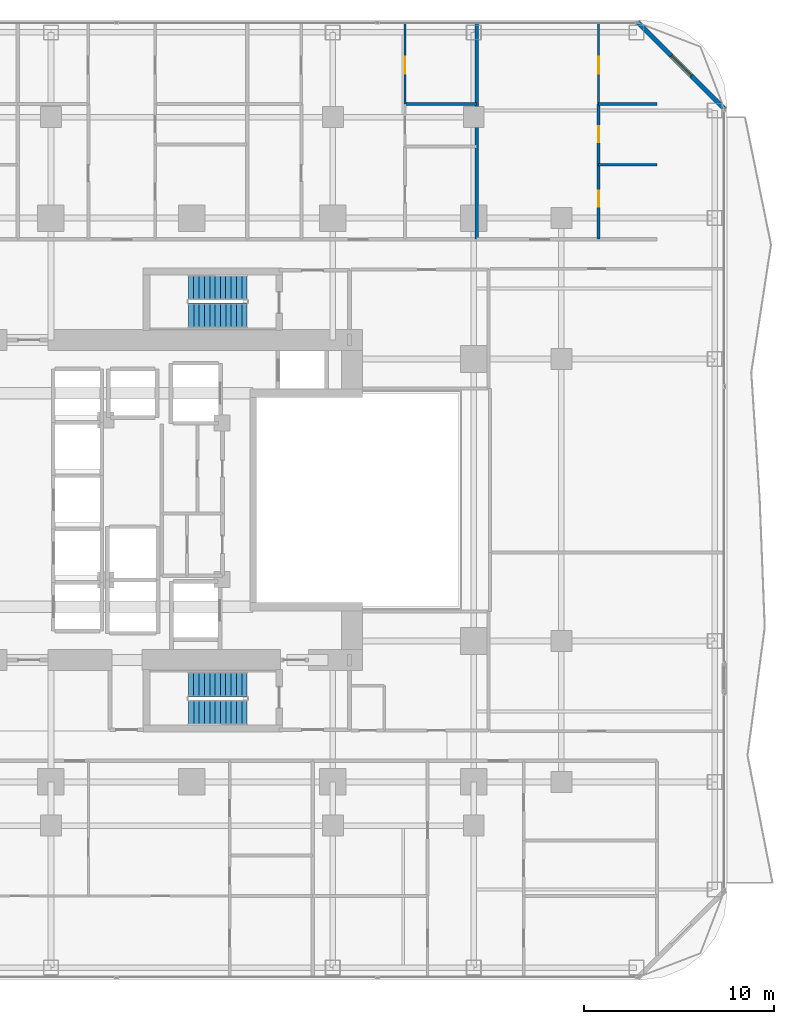
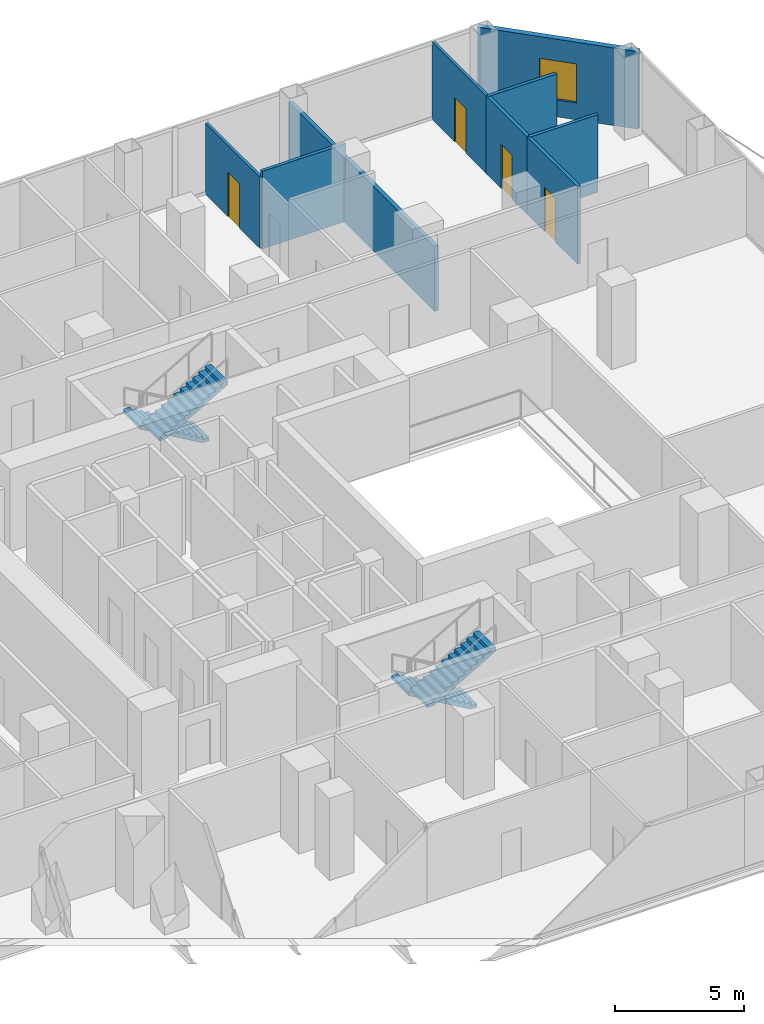
# One storey, part 24 of 27: 9 walls, 4 doors, 4 stair flights, 1 window, 5 openings, 2 elements without a shape of their own.
"""IFC4 building model written with IfcOpenShell, lengths in metres."""

from ifc_helpers import new_model, si_unit, direction, frame, frame_2d, origin, place, context, subcontext, project, spatial, polyline, rectangle, outline, extrude, material, layer, layer_set, type_object, element, fill, aggregate, save


model = new_model("IFC4")

# Units and contexts
model_context = context("Model", 3, precision=1e-05, world=origin(), true_north=direction((0.0, 1.0)))
body_context = subcontext(model_context, "Body", "Model", "MODEL_VIEW")
ifc_project = project(units=[si_unit("LENGTHUNIT", "METRE"), si_unit("AREAUNIT", "SQUARE_METRE"), si_unit("VOLUMEUNIT", "CUBIC_METRE"), si_unit("PLANEANGLEUNIT", "RADIAN"), si_unit("MASSUNIT", "GRAM", prefix="KILO")], contexts=[model_context])

# Site, building, storey
site_placement = place(None, origin())
site = spatial("IfcSite", under=ifc_project, at=site_placement, CompositionType="ELEMENT")
building_placement = place(site_placement, origin())
building = spatial("IfcBuilding", under=site, at=building_placement, Name="Khorvyn Point Tower", CompositionType="ELEMENT")
storey_placement = place(building_placement, frame((0.0, 0.0, 46.199951171875)))
storey = spatial("IfcBuildingStorey", under=building, at=storey_placement, Name="L12", CompositionType="ELEMENT", Elevation=46.199951171875)

# Wall
ifc_material_1 = material(Name="Double acoustic gypsum on twin steel stud", Category="steel")
ifc_layer_1 = layer(ifc_material_1, 0.179931640625)
ifc_layer_set_1 = layer_set([ifc_layer_1], Name="Acoustic Double-Stud Apartment Demising Wall 180")
wall_type_1 = type_object("IfcWallType", Name="Acoustic Double-Stud Apartment Demising Wall 180", PredefinedType="PARTITIONING", material=ifc_layer_set_1)
wall_1_placement = place(storey_placement, frame((14.950927734375, 13.699951171875, 0.0), z_axis=(0.0, 0.0, 1.0), x_axis=(0.0, 1.0, 0.0)))
element("IfcWall", 1, at=wall_1_placement, inside=storey, type_object=wall_type_1, Name="Wall", PredefinedType="PARTITIONING", context=body_context, shape_type="SweptSolid", body=[
    extrude(rectangle(XDim=11.330078125, YDim=0.179931640625, at=frame_2d((5.6650390625, 0.0))), origin(), (0.0, 0.0, 1.0), 3.08203125),
])

# Wall, opening, window
ifc_material_2 = material(Name="Pale anodised aluminium rainscreen on steel stud", Category="steel")
ifc_layer_2 = layer(ifc_material_2, 0.239990234375)
ifc_layer_set_2 = layer_set([ifc_layer_2], Name="Anodised Aluminium Insulated Corner Spandrel Wall 240")
wall_type_2 = type_object("IfcWallType", Name="Anodised Aluminium Insulated Corner Spandrel Wall 240", PredefinedType="SOLIDWALL", material=ifc_layer_set_2)
wall_2_placement = place(storey_placement, frame((23.40771484375, 25.09228515625, 0.0), z_axis=(0.0, 0.0, 1.0), x_axis=(0.707106781187, -0.707106781187, 0.0)))
wall_2 = element("IfcWall", 2, at=wall_2_placement, inside=storey, type_object=wall_type_2, Name="L12 Rounded Corner Wall NE", PredefinedType="SOLIDWALL", context=body_context, shape_type="SweptSolid", body=[
    extrude(rectangle(XDim=6.48388671875, YDim=0.239990234375, at=frame_2d((3.241943359375, 0.0))), origin(), (0.0, 0.0, 1.0), 3.679931640625),
])
opening_1_placement = place(wall_2_placement, frame((2.491943359375, 0.0, 0.800048828125)))
opening_1 = element("IfcOpeningElement", 3, at=opening_1_placement, cuts=wall_2, Name="Opening WN-1518", PredefinedType="OPENING", context=body_context, shape_type="SweptSolid", body=[
    extrude(rectangle(XDim=1.5, YDim=1.85009765625, at=frame_2d((0.75, 0.925048828125))), frame((0.0, 0.1298828125, 0.0), z_axis=(0.0, -1.0, 0.0), x_axis=(1.0, 0.0, 0.0)), (0.0, 0.0, 1.0), 0.260009765625),
])
ifc_material_3 = material(Name="Anodised aluminium 6063-T6 and laminated Low-E glass", Category="aluminium")
window_type = type_object("IfcWindowType", Name="Anodised Aluminium Rounded-Corner Panoramic Window 1500x1850", PartitioningType="SINGLE_PANEL", PredefinedType="WINDOW", material=ifc_material_3)
window_placement = place(opening_1_placement, origin())
window = element("IfcWindow", 4, at=window_placement, inside=storey, type_object=window_type, Name="L12 Corner Panoramic Window NE", OverallHeight=1.85009765625, OverallWidth=1.5, PartitioningType="SINGLE_PANEL", PredefinedType="WINDOW", context=body_context, shape_type="SweptSolid", body=[
    extrude(rectangle(XDim=1.5, YDim=1.85009765625, at=frame_2d((0.75, 0.925048828125))), frame((0.0, 0.030029296875, 0.0), z_axis=(0.0, -1.0, 0.0), x_axis=(1.0, 0.0, 0.0)), (0.0, 0.0, 1.0), 0.06005859375),
])
fill(opening_1, window)

# Wall, opening, door
ifc_material_4 = material(Name="Gypsum plasterboard on steel stud", Category="steel")
ifc_layer_3 = layer(ifc_material_4, 0.1201171875)
ifc_layer_set_3 = layer_set([ifc_layer_3], Name="Gypsum Acoustic Stud Room Partition Wall 120")
wall_type_3 = type_object("IfcWallType", Name="Gypsum Acoustic Stud Room Partition Wall 120", PredefinedType="PARTITIONING", material=ifc_layer_set_3)
wall_3_placement = place(storey_placement, frame((11.19091796875, 20.7900390625, 0.0), z_axis=(0.0, 0.0, 1.0), x_axis=(0.0, 1.0, 0.0)))
wall_3 = element("IfcWall", 5, at=wall_3_placement, inside=storey, type_object=wall_type_3, Name="Wall", PredefinedType="PARTITIONING", context=body_context, shape_type="SweptSolid", body=[
    extrude(rectangle(XDim=4.239990234375, YDim=0.1201171875, at=frame_2d((2.1201171875, 0.0))), origin(), (0.0, 0.0, 1.0), 3.3701171875),
])
opening_2_placement = place(wall_3_placement, frame((1.581298828125, 0.0, 0.0)))
opening_2 = element("IfcOpeningElement", 6, at=opening_2_placement, cuts=wall_3, Name="Opening ID-RM90", PredefinedType="OPENING", context=body_context, shape_type="SweptSolid", body=[
    extrude(rectangle(XDim=0.89990234375, YDim=2.10009765625, at=frame_2d((0.449951171875, 1.050048828125))), frame((0.0, 0.070068359375, 0.0), z_axis=(0.0, -1.0, 0.0), x_axis=(1.0, 0.0, 0.0)), (0.0, 0.0, 1.0), 0.14013671875),
])
ifc_material_5 = material(Name="Engineered oak veneer timber", Category="wood")
door_type_1 = type_object("IfcDoorType", Name="Flush Engineered Timber Room Door 900x2100", OperationType="NOTDEFINED", PredefinedType="DOOR", material=ifc_material_5)
door_1_placement = place(opening_2_placement, origin())
door_1 = element("IfcDoor", 7, at=door_1_placement, inside=storey, type_object=door_type_1, Name="Door", OperationType="SINGLE_SWING_RIGHT", OverallHeight=2.10009765625, OverallWidth=0.89990234375, PredefinedType="DOOR", context=body_context, shape_type="SweptSolid", body=[
    extrude(rectangle(XDim=0.89990234375, YDim=2.10009765625, at=frame_2d((0.449951171875, 1.050048828125))), frame((0.0, 0.02490234375, 0.0), z_axis=(0.0, -1.0, 0.0), x_axis=(1.0, 0.0, 0.0)), (0.0, 0.0, 1.0), 0.050048828125),
])
fill(opening_2, door_1)

wall_4_placement = place(storey_placement, frame((21.35205078125, 20.7900390625, 0.0), z_axis=(0.0, 0.0, 1.0), x_axis=(0.0, 1.0, 0.0)))
wall_4 = element("IfcWall", 8, at=wall_4_placement, inside=storey, type_object=wall_type_3, Name="Wall", PredefinedType="PARTITIONING", context=body_context, shape_type="SweptSolid", body=[
    extrude(rectangle(XDim=4.239990234375, YDim=0.1201171875, at=frame_2d((2.1201171875, 0.0))), origin(), (0.0, 0.0, 1.0), 3.679931640625),
])
opening_3_placement = place(wall_4_placement, frame((1.581298828125, 0.0, 0.0)))
opening_3 = element("IfcOpeningElement", 9, at=opening_3_placement, cuts=wall_4, Name="Opening ID-RM90", PredefinedType="OPENING", context=body_context, shape_type="SweptSolid", body=[
    extrude(rectangle(XDim=0.89990234375, YDim=2.10009765625, at=frame_2d((0.449951171875, 1.050048828125))), frame((0.0, 0.070068359375, 0.0), z_axis=(0.0, -1.0, 0.0), x_axis=(1.0, 0.0, 0.0)), (0.0, 0.0, 1.0), 0.14013671875),
])
door_2_placement = place(opening_3_placement, origin())
door_2 = element("IfcDoor", 10, at=door_2_placement, inside=storey, type_object=door_type_1, Name="Door", OperationType="SINGLE_SWING_RIGHT", OverallHeight=2.10009765625, OverallWidth=0.89990234375, PredefinedType="DOOR", context=body_context, shape_type="SweptSolid", body=[
    extrude(rectangle(XDim=0.89990234375, YDim=2.10009765625, at=frame_2d((0.449951171875, 1.050048828125))), frame((0.0, 0.02490234375, 0.0), z_axis=(0.0, -1.0, 0.0), x_axis=(1.0, 0.0, 0.0)), (0.0, 0.0, 1.0), 0.050048828125),
])
fill(opening_3, door_2)

ifc_material_6 = material(Name="Moisture-resistant gypsum and cement board", Category="gypsum")
ifc_layer_4 = layer(ifc_material_6, 0.14990234375)
ifc_layer_set_4 = layer_set([ifc_layer_4], Name="Moisture-Resistant Wet-Room Partition Wall 150")
wall_type_4 = type_object("IfcWallType", Name="Moisture-Resistant Wet-Room Partition Wall 150", PredefinedType="PARTITIONING", material=ifc_layer_set_4)
wall_5_placement = place(storey_placement, frame((21.35205078125, 13.699951171875, 0.0), z_axis=(0.0, 0.0, 1.0), x_axis=(0.0, 1.0, 0.0)))
wall_5 = element("IfcWall", 11, at=wall_5_placement, inside=storey, type_object=wall_type_4, Name="Wall", PredefinedType="PARTITIONING", context=body_context, shape_type="SweptSolid", body=[
    extrude(rectangle(XDim=3.899169921875, YDim=0.14990234375, at=frame_2d((1.94970703125, 0.0))), origin(), (0.0, 0.0, 1.0), 3.679931640625),
])
opening_4_placement = place(wall_5_placement, frame((1.695068359375, 0.0, 0.0)))
opening_4 = element("IfcOpeningElement", 12, at=opening_4_placement, cuts=wall_5, Name="Opening ID-WC85", PredefinedType="OPENING", context=body_context, shape_type="SweptSolid", body=[
    extrude(rectangle(XDim=0.85009765625, YDim=2.10009765625, at=frame_2d((0.425048828125, 1.050048828125))), frame((0.0, 0.0849609375, 0.0), z_axis=(0.0, -1.0, 0.0), x_axis=(1.0, 0.0, 0.0)), (0.0, 0.0, 1.0), 0.169921875),
])
ifc_material_7 = material(Name="High-pressure laminate on moisture-resistant core", Category="wood")
door_type_2 = type_object("IfcDoorType", Name="Moisture-Resistant Accessible Washroom Door 850x2100", OperationType="NOTDEFINED", PredefinedType="DOOR", material=ifc_material_7)
door_3_placement = place(opening_4_placement, origin())
door_3 = element("IfcDoor", 13, at=door_3_placement, inside=storey, type_object=door_type_2, Name="Door", OperationType="SINGLE_SWING_RIGHT", OverallHeight=2.10009765625, OverallWidth=0.85009765625, PredefinedType="DOOR", context=body_context, shape_type="SweptSolid", body=[
    extrude(rectangle(XDim=0.85009765625, YDim=2.10009765625, at=frame_2d((0.425048828125, 1.050048828125))), frame((0.0, 0.02490234375, 0.0), z_axis=(0.0, -1.0, 0.0), x_axis=(1.0, 0.0, 0.0)), (0.0, 0.0, 1.0), 0.050048828125),
])
fill(opening_4, door_3)

wall_6_placement = place(storey_placement, frame((21.35205078125, 17.59912109375, 0.0), z_axis=(0.0, 0.0, 1.0), x_axis=(0.0, 1.0, 0.0)))
wall_6 = element("IfcWall", 14, at=wall_6_placement, inside=storey, type_object=wall_type_4, Name="Wall", PredefinedType="PARTITIONING", context=body_context, shape_type="SweptSolid", body=[
    extrude(rectangle(XDim=3.19091796875, YDim=0.14990234375, at=frame_2d((1.595458984375, 0.0))), origin(), (0.0, 0.0, 1.0), 3.679931640625),
])
opening_5_placement = place(wall_6_placement, frame((1.17041015625, 0.0, 0.0)))
opening_5 = element("IfcOpeningElement", 15, at=opening_5_placement, cuts=wall_6, Name="Opening ID-WC85", PredefinedType="OPENING", context=body_context, shape_type="SweptSolid", body=[
    extrude(rectangle(XDim=0.85009765625, YDim=2.10009765625, at=frame_2d((0.425048828125, 1.050048828125))), frame((0.0, 0.0849609375, 0.0), z_axis=(0.0, -1.0, 0.0), x_axis=(1.0, 0.0, 0.0)), (0.0, 0.0, 1.0), 0.169921875),
])
door_4_placement = place(opening_5_placement, origin())
door_4 = element("IfcDoor", 16, at=door_4_placement, inside=storey, type_object=door_type_2, Name="Door", OperationType="SINGLE_SWING_LEFT", OverallHeight=2.10009765625, OverallWidth=0.85009765625, PredefinedType="DOOR", context=body_context, shape_type="SweptSolid", body=[
    extrude(rectangle(XDim=0.85009765625, YDim=2.10009765625, at=frame_2d((0.425048828125, 1.050048828125))), frame((0.0, 0.02490234375, 0.0), z_axis=(0.0, -1.0, 0.0), x_axis=(1.0, 0.0, 0.0)), (0.0, 0.0, 1.0), 0.050048828125),
])
fill(opening_5, door_4)

# Walls
wall_7_placement = place(storey_placement, frame((11.19091796875, 20.7900390625, 0.0), z_axis=(0.0, 0.0, 1.0), x_axis=(1.0, 0.0, 0.0)))
element("IfcWall", 17, at=wall_7_placement, inside=storey, type_object=wall_type_4, Name="Wall", PredefinedType="PARTITIONING", context=body_context, shape_type="SweptSolid", body=[
    extrude(rectangle(XDim=3.760009765625, YDim=0.14990234375, at=frame_2d((1.8798828125, 0.0))), origin(), (0.0, 0.0, 1.0), 3.679931640625),
])
for number, where, z_axis, x_axis, name in (
    (18, (21.35205078125, 17.59912109375, 0.0), (0.0, 0.0, 1.0), (1.0, 0.0, 0.0), "Wall"),
    (19, (21.35205078125, 20.7900390625, 0.0), (0.0, 0.0, 1.0), (1.0, 0.0, 0.0), "Wall"),
):
    element("IfcWall", number, at=place(storey_placement, frame(where, z_axis=z_axis, x_axis=x_axis)), inside=storey, type_object=wall_type_4, Name=name, PredefinedType="PARTITIONING", context=body_context, shape_type="SweptSolid", body=[
        extrude(rectangle(XDim=3.06787109375, YDim=0.14990234375, at=frame_2d((1.533935546875, 0.0))), origin(), (0.0, 0.0, 1.0), 3.679931640625),
    ])

# Stair, stair flights
ifc_material_8 = material(Name="Concrete C40/50", Category="concrete")
stair_type = type_object("IfcStairType", Name="Tower Concrete C40/50 Dogleg Exit Stair", PredefinedType="HALF_TURN_STAIR", material=ifc_material_8)
stair_1_placement = place(storey_placement, origin())
stair_1 = element("IfcStair", 20, at=stair_1_placement, inside=storey, type_object=stair_type, Name="L12 Tower Smokeproof Exit Stair South", PredefinedType="HALF_TURN_STAIR")
stair_flight_type = type_object("IfcStairFlightType", Name="Tower Concrete C40/50 Stair Flight", PredefinedType="STRAIGHT", material=ifc_material_8)
stair_flight_1_placement = place(storey_placement, frame((2.89990234375, -9.679931640625, 0.0), z_axis=(0.0, 0.0, 1.0), x_axis=(-1.0, 0.0, 0.0)))
stair_flight_1 = element("IfcStairFlight", 21, at=stair_flight_1_placement, type_object=stair_flight_type, Name="ST-01 flight 1", NumberOfRisers=12, NumberOfTreads=11, PredefinedType="STRAIGHT", RiserHeight=0.1625, TreadLength=0.28, context=body_context, shape_type="SweptSolid", body=[
    extrude(outline(polyline([(0.0, 0.0), (0.0, 0.16259765625), (0.280029296875, 0.16259765625), (0.280029296875, 0.324951171875), (0.56005859375, 0.324951171875), (0.56005859375, 0.487548828125), (0.840087890625, 0.487548828125), (0.840087890625, 0.64990234375), (1.1201171875, 0.64990234375), (1.1201171875, 0.8125), (1.39990234375, 0.8125), (1.39990234375, 0.97509765625), (1.679931640625, 0.97509765625), (1.679931640625, 1.137451171875), (1.9599609375, 1.137451171875), (1.9599609375, 1.300048828125), (2.239990234375, 1.300048828125), (2.239990234375, 1.46240234375), (2.52001953125, 1.46240234375), (2.52001953125, 1.625), (2.800048828125, 1.625), (2.800048828125, 1.78759765625), (3.080078125, 1.78759765625), (3.080078125, 1.949951171875), (3.080078125, 1.6142578125), (0.298583984375, 0.0), (0.0, 0.0)])), frame((0.0, 0.66015625, 0.0), z_axis=(0.0, -1.0, 0.0), x_axis=(1.0, 0.0, 0.0)), (0.0, 0.0, 1.0), 1.320068359375),
])
stair_flight_2_placement = place(storey_placement, frame((-0.179931640625, -11.159912109375, 1.949951171875), z_axis=(0.0, 0.0, 1.0), x_axis=(1.0, 0.0, 0.0)))
stair_flight_2 = element("IfcStairFlight", 22, at=stair_flight_2_placement, type_object=stair_flight_type, Name="ST-01 flight 2", NumberOfRisers=12, NumberOfTreads=11, PredefinedType="STRAIGHT", RiserHeight=0.1625, TreadLength=0.28, context=body_context, shape_type="SweptSolid", body=[
    extrude(outline(polyline([(0.0, 0.0), (0.0, 0.16259765625), (0.280029296875, 0.16259765625), (0.280029296875, 0.324951171875), (0.56005859375, 0.324951171875), (0.56005859375, 0.487548828125), (0.840087890625, 0.487548828125), (0.840087890625, 0.64990234375), (1.1201171875, 0.64990234375), (1.1201171875, 0.8125), (1.39990234375, 0.8125), (1.39990234375, 0.97509765625), (1.679931640625, 0.97509765625), (1.679931640625, 1.137451171875), (1.9599609375, 1.137451171875), (1.9599609375, 1.300048828125), (2.239990234375, 1.300048828125), (2.239990234375, 1.46240234375), (2.52001953125, 1.46240234375), (2.52001953125, 1.625), (2.800048828125, 1.625), (2.800048828125, 1.78759765625), (3.080078125, 1.78759765625), (3.080078125, 1.949951171875), (3.080078125, 1.6142578125), (0.298583984375, 0.0), (0.0, 0.0)])), frame((0.0, 0.66015625, 0.0), z_axis=(0.0, -1.0, 0.0), x_axis=(1.0, 0.0, 0.0)), (0.0, 0.0, 1.0), 1.320068359375),
])
aggregate(stair_1, [stair_flight_1, stair_flight_2])

stair_2_placement = place(storey_placement, origin())
stair_2 = element("IfcStair", 23, at=stair_2_placement, inside=storey, type_object=stair_type, Name="L12 Tower Smokeproof Exit Stair North", PredefinedType="HALF_TURN_STAIR")
stair_flight_3_placement = place(storey_placement, frame((2.89990234375, 11.159912109375, 0.0), z_axis=(0.0, 0.0, 1.0), x_axis=(-1.0, 0.0, 0.0)))
stair_flight_3 = element("IfcStairFlight", 24, at=stair_flight_3_placement, type_object=stair_flight_type, Name="ST-02 flight 1", NumberOfRisers=12, NumberOfTreads=11, PredefinedType="STRAIGHT", RiserHeight=0.1625, TreadLength=0.28, context=body_context, shape_type="SweptSolid", body=[
    extrude(outline(polyline([(0.0, 0.0), (0.0, 0.16259765625), (0.280029296875, 0.16259765625), (0.280029296875, 0.324951171875), (0.56005859375, 0.324951171875), (0.56005859375, 0.487548828125), (0.840087890625, 0.487548828125), (0.840087890625, 0.64990234375), (1.1201171875, 0.64990234375), (1.1201171875, 0.8125), (1.39990234375, 0.8125), (1.39990234375, 0.97509765625), (1.679931640625, 0.97509765625), (1.679931640625, 1.137451171875), (1.9599609375, 1.137451171875), (1.9599609375, 1.300048828125), (2.239990234375, 1.300048828125), (2.239990234375, 1.46240234375), (2.52001953125, 1.46240234375), (2.52001953125, 1.625), (2.800048828125, 1.625), (2.800048828125, 1.78759765625), (3.080078125, 1.78759765625), (3.080078125, 1.949951171875), (3.080078125, 1.6142578125), (0.298583984375, 0.0), (0.0, 0.0)])), frame((0.0, 0.66015625, 0.0), z_axis=(0.0, -1.0, 0.0), x_axis=(1.0, 0.0, 0.0)), (0.0, 0.0, 1.0), 1.320068359375),
])
stair_flight_4_placement = place(storey_placement, frame((-0.179931640625, 9.679931640625, 1.949951171875), z_axis=(0.0, 0.0, 1.0), x_axis=(1.0, 0.0, 0.0)))
stair_flight_4 = element("IfcStairFlight", 25, at=stair_flight_4_placement, type_object=stair_flight_type, Name="ST-02 flight 2", NumberOfRisers=12, NumberOfTreads=11, PredefinedType="STRAIGHT", RiserHeight=0.1625, TreadLength=0.28, context=body_context, shape_type="SweptSolid", body=[
    extrude(outline(polyline([(0.0, 0.0), (0.0, 0.16259765625), (0.280029296875, 0.16259765625), (0.280029296875, 0.324951171875), (0.56005859375, 0.324951171875), (0.56005859375, 0.487548828125), (0.840087890625, 0.487548828125), (0.840087890625, 0.64990234375), (1.1201171875, 0.64990234375), (1.1201171875, 0.8125), (1.39990234375, 0.8125), (1.39990234375, 0.97509765625), (1.679931640625, 0.97509765625), (1.679931640625, 1.137451171875), (1.9599609375, 1.137451171875), (1.9599609375, 1.300048828125), (2.239990234375, 1.300048828125), (2.239990234375, 1.46240234375), (2.52001953125, 1.46240234375), (2.52001953125, 1.625), (2.800048828125, 1.625), (2.800048828125, 1.78759765625), (3.080078125, 1.78759765625), (3.080078125, 1.949951171875), (3.080078125, 1.6142578125), (0.298583984375, 0.0), (0.0, 0.0)])), frame((0.0, 0.66015625, 0.0), z_axis=(0.0, -1.0, 0.0), x_axis=(1.0, 0.0, 0.0)), (0.0, 0.0, 1.0), 1.320068359375),
])
aggregate(stair_2, [stair_flight_3, stair_flight_4])

save(model, "model.ifc")
